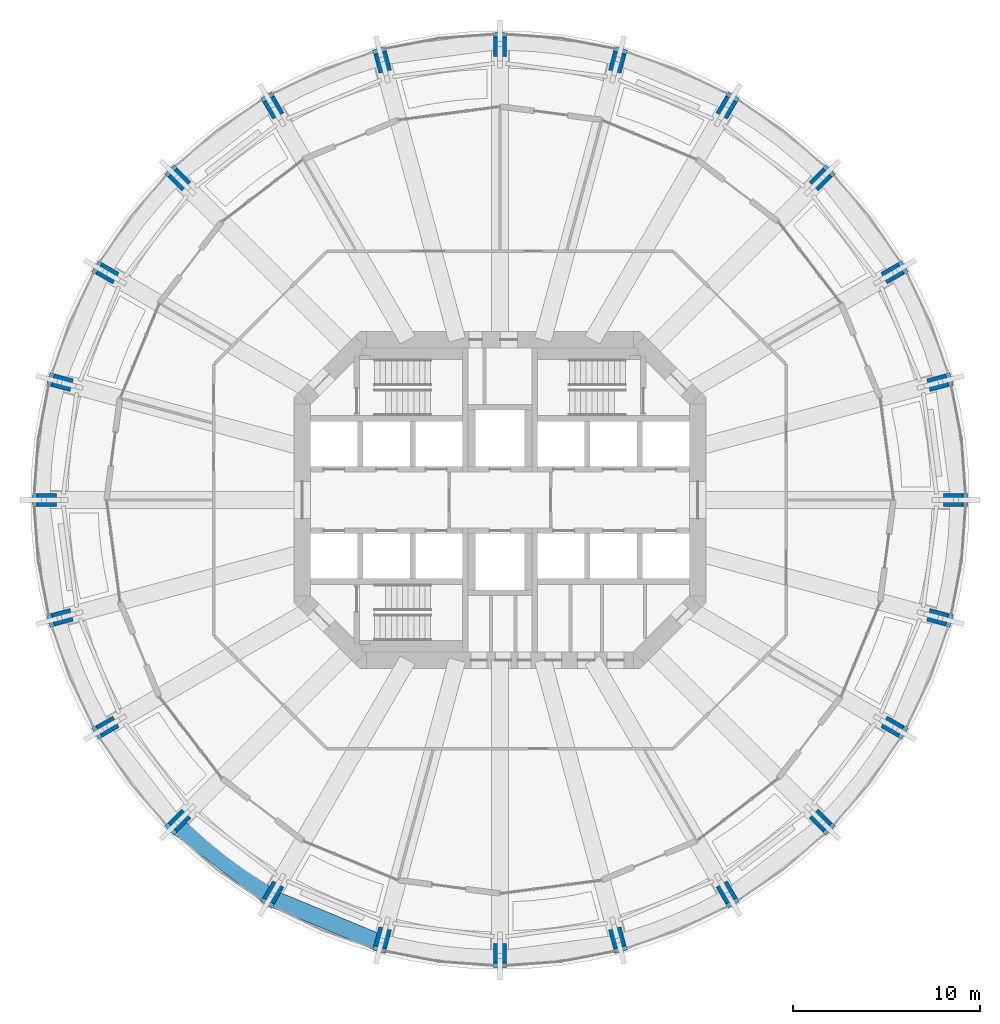
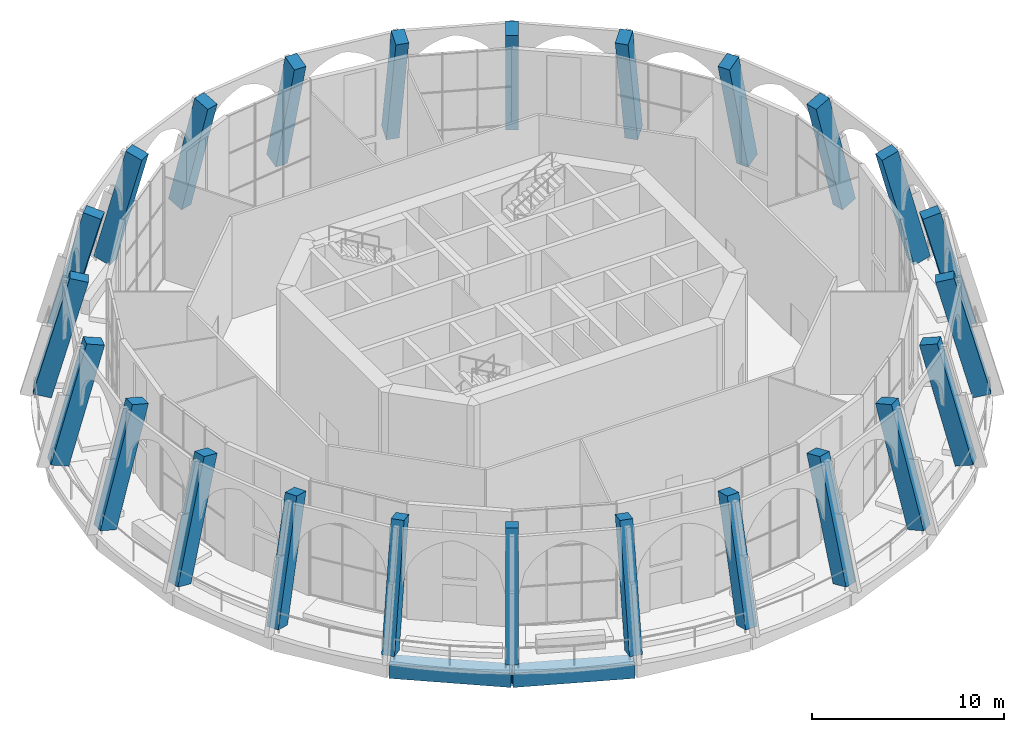
# One storey, part 1 of 18: 24 columns, 2 beams.
"""IFC4 building model written with IfcOpenShell, lengths in metres."""

from ifc_helpers import new_model, si_unit, direction, frame, origin, origin_2d, place, context, subcontext, project, spatial, rectangle, extrude, material, material_profile, profile_set, type_object, element, save


model = new_model("IFC4")

# Units and contexts
model_context = context("Model", 3, precision=1e-05, world=origin(), true_north=direction((0.0, 1.0)))
body_context = subcontext(model_context, "Body", "Model", "MODEL_VIEW")
ifc_project = project(units=[si_unit("LENGTHUNIT", "METRE"), si_unit("AREAUNIT", "SQUARE_METRE"), si_unit("VOLUMEUNIT", "CUBIC_METRE"), si_unit("PLANEANGLEUNIT", "RADIAN"), si_unit("MASSUNIT", "GRAM", prefix="KILO")], contexts=[model_context])

# Site, building, storey
site_placement = place(None, origin())
site = spatial("IfcSite", under=ifc_project, at=site_placement, CompositionType="ELEMENT")
building_placement = place(site_placement, origin())
building = spatial("IfcBuilding", under=site, at=building_placement, Name="Torre Triforio", CompositionType="ELEMENT")
storey_placement = place(building_placement, frame((0.0, 0.0, 146.60009765625)))
storey = spatial("IfcBuildingStorey", under=building, at=storey_placement, Name="L33", CompositionType="ELEMENT", Elevation=146.60009765625)

# Columns
ifc_material_1 = material(Name="Concrete C60", Category="concrete")
ifc_material_profile_1 = material_profile(ifc_material_1, rectangle(XDim=0.699951171875, YDim=1.0, at=origin_2d()), Name="RC 700x1000")
ifc_profile_set_1 = profile_set([ifc_material_profile_1], Name="Concrete C60")
column_type = type_object("IfcColumnType", Name="Pier RC 700x1000 C60", PredefinedType="COLUMN", material=ifc_profile_set_1)
for number, where, z_axis, x_axis, name in (
    (1, (24.466552734375, 0.0, 0.127197265625), (-0.254504374272, 0.0, 0.967071622723), (0.0, -1.0, 0.0), "COL.R.L33.00"),
    (2, (23.6328125, 6.33251953125, 0.127197265625), (-0.245825937887, -0.065892151238, 0.967071782583), (0.258904424314, -0.965902944954, 0.0), "COL.R.L33.01"),
    (3, (21.188720703125, 12.233154296875, 0.127197265625), (-0.220402370545, -0.127220735397, 0.967076873647), (0.499915613579, -0.866074118826, 0.0), "COL.R.L33.02"),
    (4, (17.300537109375, 17.300537109375, 0.127197265625), (-0.17996563186, -0.17996563186, 0.967070184991), (0.707106781187, -0.707106781187, 0.0), "COL.R.L33.03"),
    (5, (12.233154296875, 21.188720703125, 0.127197265625), (-0.127220735397, -0.220402370545, 0.967076873647), (0.866074118826, -0.499915613579, 0.0), "COL.R.L33.04"),
    (6, (6.33251953125, 23.6328125, 0.127197265625), (-0.065892151238, -0.245825937887, 0.967071782583), (0.965902944954, -0.258904424314, 0.0), "COL.R.L33.05"),
    (7, (0.0, 24.466552734375, 0.127197265625), (0.0, -0.254504374272, 0.967071622723), (1.0, 0.0, 0.0), "COL.R.L33.06"),
    (8, (-6.33251953125, 23.6328125, 0.127197265625), (0.065892151238, -0.245825937887, 0.967071782583), (0.965902944954, 0.258904424314, 0.0), "COL.R.L33.07"),
    (9, (-12.233154296875, 21.188720703125, 0.127197265625), (0.127220735397, -0.220402370545, 0.967076873647), (0.866074118826, 0.499915613579, 0.0), "COL.R.L33.08"),
    (10, (-17.300537109375, 17.300537109375, 0.127197265625), (0.17996563186, -0.17996563186, 0.967070184991), (0.707106781187, 0.707106781187, 0.0), "COL.R.L33.09"),
    (11, (-21.188720703125, 12.233154296875, 0.127197265625), (0.220402370545, -0.127220735397, 0.967076873647), (0.499915613579, 0.866074118826, 0.0), "COL.R.L33.10"),
    (12, (-23.6328125, 6.33251953125, 0.127197265625), (0.245825937887, -0.065892151238, 0.967071782583), (0.258904424314, 0.965902944954, 0.0), "COL.R.L33.11"),
    (13, (-24.466552734375, 0.0, 0.127197265625), (0.254504374272, 0.0, 0.967071622723), (0.0, 1.0, 0.0), "COL.R.L33.12"),
    (14, (-23.6328125, -6.33251953125, 0.127197265625), (0.245825937887, 0.065892151238, 0.967071782583), (-0.258904424314, 0.965902944954, 0.0), "COL.R.L33.13"),
    (15, (-21.188720703125, -12.233154296875, 0.127197265625), (0.220402370545, 0.127220735397, 0.967076873647), (-0.499915613579, 0.866074118826, 0.0), "COL.R.L33.14"),
    (16, (-17.300537109375, -17.300537109375, 0.127197265625), (0.17996563186, 0.17996563186, 0.967070184991), (-0.707106781187, 0.707106781187, 0.0), "COL.R.L33.15"),
    (17, (-12.233154296875, -21.188720703125, 0.127197265625), (0.127220735397, 0.220402370545, 0.967076873647), (-0.866074118826, 0.499915613579, 0.0), "COL.R.L33.16"),
    (18, (-6.33251953125, -23.6328125, 0.127197265625), (0.065892151238, 0.245825937887, 0.967071782583), (-0.965902944954, 0.258904424314, 0.0), "COL.R.L33.17"),
    (19, (0.0, -24.466552734375, 0.127197265625), (0.0, 0.254504374272, 0.967071622723), (-1.0, 0.0, 0.0), "COL.R.L33.18"),
    (20, (6.33251953125, -23.6328125, 0.127197265625), (-0.065892151238, 0.245825937887, 0.967071782583), (-0.965902944954, -0.258904424314, 0.0), "COL.R.L33.19"),
    (21, (12.233154296875, -21.188720703125, 0.127197265625), (-0.127220735397, 0.220402370545, 0.967076873647), (-0.866074118826, -0.499915613579, 0.0), "COL.R.L33.20"),
    (22, (17.300537109375, -17.300537109375, 0.127197265625), (-0.17996563186, 0.17996563186, 0.967070184991), (-0.707106781187, -0.707106781187, 0.0), "COL.R.L33.21"),
    (23, (21.188720703125, -12.233154296875, 0.127197265625), (-0.220402370545, 0.127220735397, 0.967076873647), (-0.499915613579, -0.866074118826, 0.0), "COL.R.L33.22"),
    (24, (23.6328125, -6.33251953125, 0.127197265625), (-0.245825937887, 0.065892151238, 0.967071782583), (-0.258904424314, -0.965902944954, 0.0), "COL.R.L33.23"),
):
    element("IfcColumn", number, at=place(storey_placement, frame(where, z_axis=z_axis, x_axis=x_axis)), inside=storey, type_object=column_type, Name=name, PredefinedType="COLUMN", context=body_context, shape_type="SweptSolid", body=[
        extrude(rectangle(XDim=0.699951171875, YDim=1.0, at=origin_2d()), origin(), (0.0, 0.0, 1.0), 7.595458984375),
    ])

# Beams
ifc_material_2 = material(Name="Concrete C50", Category="concrete")
ifc_material_profile_2 = material_profile(ifc_material_2, rectangle(XDim=0.89990234375, YDim=0.89990234375, at=origin_2d()), Name="RC 900x900")
ifc_profile_set_2 = profile_set([ifc_material_profile_2], Name="Concrete C50")
beam_type = type_object("IfcBeamType", Name="Spandrel beam RC 900x900 C50", PredefinedType="SPANDREL", material=ifc_profile_set_2)
for number, where, z_axis, x_axis, name in (
    (25, (-17.32421875, -17.32421875, -0.72998046875), (0.79337406388, -0.60873442055, 0.0), (0.60873442055, 0.79337406388, 0.0), "BM.S.L33.15"),
    (26, (-12.25, -21.217529296875, -0.72998046875), (0.923868882006, -0.382709143949, 0.0), (0.382709143949, 0.923868882006, 0.0), "BM.S.L33.16"),
):
    element("IfcBeam", number, at=place(storey_placement, frame(where, z_axis=z_axis, x_axis=x_axis)), inside=storey, type_object=beam_type, Name=name, PredefinedType="SPANDREL", context=body_context, shape_type="SweptSolid", body=[
        extrude(rectangle(XDim=0.89990234375, YDim=0.89990234375, at=origin_2d()), origin(), (0.0, 0.0, 1.0), 6.395751953125),
    ])

save(model, "model.ifc")
